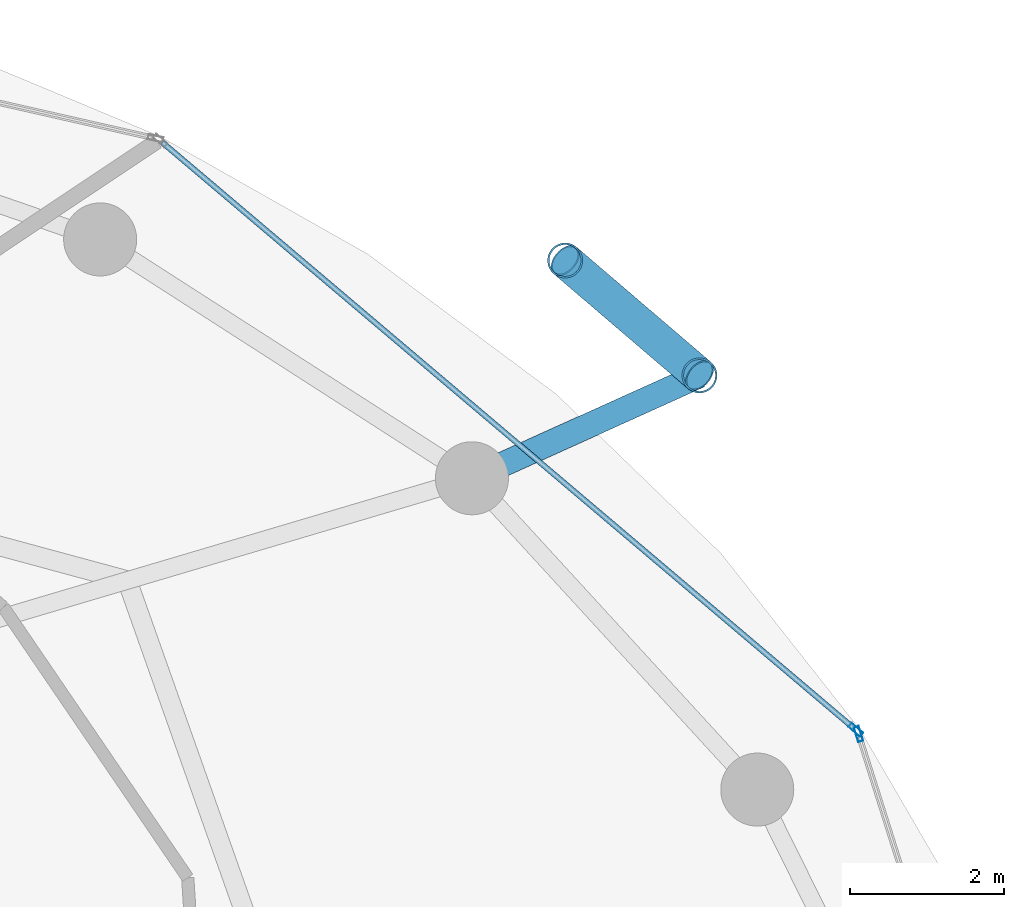
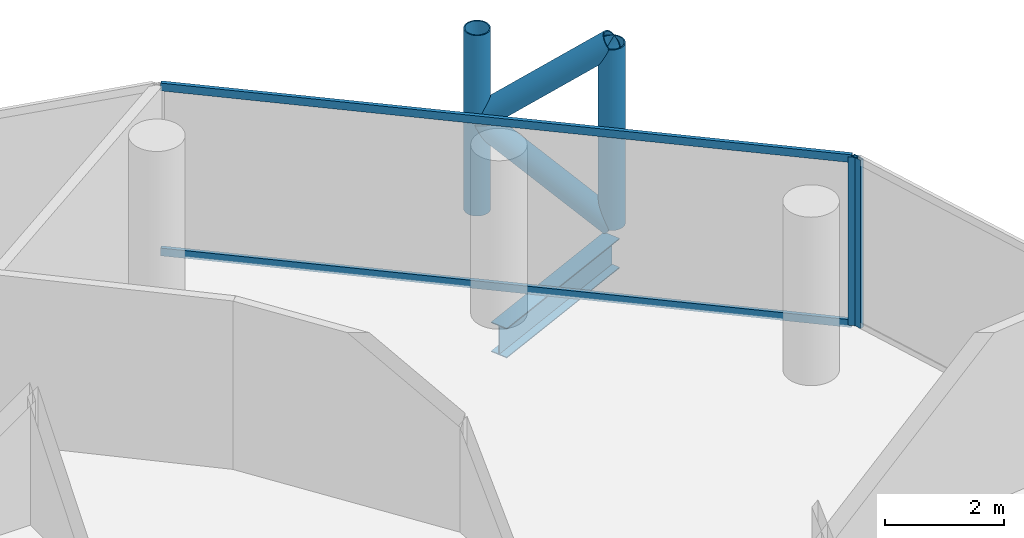
# One storey, part 19 of 26: 8 members, 1 beam, 2 elements without a shape of their own.
"""IFC4 building model written with IfcOpenShell, lengths in metres."""

from ifc_helpers import new_model, si_unit, direction, frame, origin, origin_2d, place, context, subcontext, project, spatial, hollow_rectangle, hollow_circle, i_section, extrude, material, layer, layer_set, material_profile, profile_set, type_object, element, aggregate, save


model = new_model("IFC4")

# Units and contexts
model_context = context("Model", 3, precision=1e-05, world=origin(), true_north=direction((0.0, 1.0)))
body_context = subcontext(model_context, "Body", "Model", "MODEL_VIEW")
ifc_project = project(units=[si_unit("LENGTHUNIT", "METRE"), si_unit("AREAUNIT", "SQUARE_METRE"), si_unit("VOLUMEUNIT", "CUBIC_METRE"), si_unit("PLANEANGLEUNIT", "RADIAN"), si_unit("MASSUNIT", "GRAM", prefix="KILO")], contexts=[model_context])

# Site, building, storey
site_placement = place(None, origin())
site = spatial("IfcSite", under=ifc_project, at=site_placement, CompositionType="ELEMENT")
building_placement = place(site_placement, origin())
building = spatial("IfcBuilding", under=site, at=building_placement, Name="Nuhasar Tower", CompositionType="ELEMENT")
storey_placement = place(building_placement, frame((0.0, 0.0, 129.35009765625)))
storey = spatial("IfcBuildingStorey", under=building, at=storey_placement, Name="L30", CompositionType="ELEMENT", Elevation=129.35009765625)

# Beam
ifc_material_1 = material(Name="Steel S355", Category="steel")
ifc_material_profile_1 = material_profile(ifc_material_1, i_section(OverallWidth=0.323974609375, OverallDepth=0.611083984375, WebThickness=0.0126953125, FlangeThickness=0.01904296875, at=origin_2d()), Name="W24X104")
ifc_profile_set_1 = profile_set([ifc_material_profile_1], Name="Steel S355")
beam_type = type_object("IfcBeamType", Name="BM-TIE-W24X104", PredefinedType="BEAM", material=ifc_profile_set_1)
beam_placement = place(storey_placement, frame((55.510986328125, 40.6240234375, -0.55615234375), z_axis=(0.911239591969, 0.411876687891, 0.0), x_axis=(-0.411876687891, 0.911239591969, 0.0)))
element("IfcBeam", 1, at=beam_placement, inside=storey, type_object=beam_type, Name="L30 Exoskeleton Node Tie Beam 02", PredefinedType="BEAM", context=body_context, shape_type="SweptSolid", body=[
    extrude(i_section(OverallWidth=0.323974609375, OverallDepth=0.611083984375, WebThickness=0.0126953125, FlangeThickness=0.01904296875, at=origin_2d()), origin(), (0.0, 0.0, 1.0), 3.248291015625),
])

# Curtain wall, member
ifc_material_2 = material(Name="Aluminium 6063-T6", Category="aluminium")
ifc_layer = layer(ifc_material_2, 0.199951171875)
ifc_layer_set = layer_set([ifc_layer], Name="Aluminium 6063-T6")
curtain_wall_type = type_object("IfcCurtainWallType", Name="CW-Z2-HTL", PredefinedType="NOTDEFINED", material=ifc_layer_set)
curtain_wall_1_placement = place(storey_placement, origin())
curtain_wall_1 = element("IfcCurtainWall", 2, at=curtain_wall_1_placement, inside=storey, type_object=curtain_wall_type, Name="L30 Unitised Curtain Wall 01", PredefinedType="NOTDEFINED")
ifc_material_profile_2 = material_profile(ifc_material_2, hollow_rectangle(XDim=0.070068359375, YDim=0.199951171875, WallThickness=0.0048828125, at=origin_2d()), Name="CWM-3")
ifc_profile_set_2 = profile_set([ifc_material_profile_2], Name="Aluminium 6063-T6")
member_type_1 = type_object("IfcMemberType", Name="CW-MUL-S3", PredefinedType="MULLION", material=ifc_profile_set_2)
member_1_placement = place(storey_placement, frame((60.53955078125, 37.296630859375, 0.0), z_axis=(0.0, 0.0, 1.0), x_axis=(-0.953433389233, -0.301603667577, 0.0)))
member_1 = element("IfcMember", 3, at=member_1_placement, type_object=member_type_1, Name="CW-Z2 mullion 2", PredefinedType="MULLION", context=body_context, shape_type="SweptSolid", body=[
    extrude(hollow_rectangle(XDim=0.070068359375, YDim=0.199951171875, WallThickness=0.0048828125, at=origin_2d()), origin(), (0.0, 0.0, 1.0), 3.449951171875),
])
aggregate(curtain_wall_1, [member_1])

# Curtain wall, members
curtain_wall_2_placement = place(storey_placement, origin())
curtain_wall_2 = element("IfcCurtainWall", 4, at=curtain_wall_2_placement, inside=storey, type_object=curtain_wall_type, Name="L30 Unitised Curtain Wall 02", PredefinedType="NOTDEFINED")
member_2_placement = place(storey_placement, frame((60.502197265625, 37.3525390625, 0.0), z_axis=(0.0, 0.0, 1.0), x_axis=(-0.646374438324, -0.763020370292, 0.0)))
member_2 = element("IfcMember", 5, at=member_2_placement, type_object=member_type_1, Name="CW-Z2 mullion 1", PredefinedType="MULLION", context=body_context, shape_type="SweptSolid", body=[
    extrude(hollow_rectangle(XDim=0.070068359375, YDim=0.199951171875, WallThickness=0.0048828125, at=origin_2d()), origin(), (0.0, 0.0, 1.0), 3.449951171875),
])
ifc_material_profile_3 = material_profile(ifc_material_2, hollow_rectangle(XDim=0.070068359375, YDim=0.159912109375, WallThickness=0.00439453125, at=origin_2d()), Name="CWT-3")
ifc_profile_set_3 = profile_set([ifc_material_profile_3], Name="Aluminium 6063-T6")
member_type_2 = type_object("IfcMemberType", Name="CW-TRN-S3", PredefinedType="USERDEFINED", material=ifc_profile_set_3)
member_3_placement = place(storey_placement, frame((60.4755859375, 37.375244140625, 0.034912109375), z_axis=(-0.763023915269, 0.646370253592, 0.0), x_axis=(-0.646370253592, -0.763023915269, 0.0)))
member_3 = element("IfcMember", 6, at=member_3_placement, type_object=member_type_2, Name="CW-Z2 transom 1.1", ObjectType="TRANSOM", PredefinedType="USERDEFINED", context=body_context, shape_type="SweptSolid", body=[
    extrude(hollow_rectangle(XDim=0.070068359375, YDim=0.159912109375, WallThickness=0.00439453125, at=origin_2d()), origin(), (0.0, 0.0, 1.0), 11.784912109375),
])
member_4_placement = place(storey_placement, frame((60.4755859375, 37.375244140625, 3.414794921875), z_axis=(-0.763023915269, 0.646370253592, 0.0), x_axis=(-0.646370253592, -0.763023915269, 0.0)))
member_4 = element("IfcMember", 7, at=member_4_placement, type_object=member_type_2, Name="CW-Z2 transom 1.2", ObjectType="TRANSOM", PredefinedType="USERDEFINED", context=body_context, shape_type="SweptSolid", body=[
    extrude(hollow_rectangle(XDim=0.070068359375, YDim=0.159912109375, WallThickness=0.00439453125, at=origin_2d()), origin(), (0.0, 0.0, 1.0), 11.784912109375),
])
aggregate(curtain_wall_2, [member_2, member_3, member_4])

# Members
ifc_material_3 = material(Name="Steel S460", Category="steel")
ifc_material_profile_4 = material_profile(ifc_material_3, hollow_circle(Radius=0.228515625, WallThickness=0.022216796875, at=origin_2d()), Name="HSS457X22.2")
ifc_profile_set_4 = profile_set([ifc_material_profile_4], Name="Steel S460")
member_type_3 = type_object("IfcMemberType", Name="EXO-BRONZE-457", PredefinedType="BRACE", material=ifc_profile_set_4)
for number, where, z_axis, x_axis, name in (
    (8, (58.470947265625, 41.9619140625, 0.0), (0.0, 0.0, 1.0), (1.0, 0.0, 0.0), "L30 Exoskeleton Chord Column EC-02A"),
    (9, (56.722900390625, 43.45703125, 0.0), (0.0, 0.0, 1.0), (1.0, 0.0, 0.0), "L30 Exoskeleton Chord Column EC-02B"),
):
    element("IfcMember", number, at=place(storey_placement, frame(where, z_axis=z_axis, x_axis=x_axis)), inside=storey, type_object=member_type_3, Name=name, PredefinedType="BRACE", context=body_context, shape_type="SweptSolid", body=[
        extrude(hollow_circle(Radius=0.228515625, WallThickness=0.022216796875, at=origin_2d()), origin(), (0.0, 0.0, 1.0), 3.699951171875),
    ])
member_5_placement = place(storey_placement, frame((58.470947265625, 41.9619140625, 0.0), z_axis=(-0.592201065785, 0.506513872468, 0.626690988192), x_axis=(-0.649986859795, -0.759945446788, 0.0)))
element("IfcMember", 10, at=member_5_placement, inside=storey, type_object=member_type_3, Name="L30 Bronze Diagrid Brace W1-02", PredefinedType="BRACE", context=body_context, shape_type="SweptSolid", body=[
    extrude(hollow_circle(Radius=0.228515625, WallThickness=0.022216796875, at=origin_2d()), origin(), (0.0, 0.0, 1.0), 2.95166015625),
])
member_6_placement = place(storey_placement, frame((56.722900390625, 43.45703125, 1.849853515625), z_axis=(0.592170370358, -0.506487618445, 0.626741210415), x_axis=(0.649986859795, 0.759945446788, 0.0)))
element("IfcMember", 11, at=member_6_placement, inside=storey, type_object=member_type_3, Name="L30 Bronze Diagrid Brace W2-02", PredefinedType="BRACE", context=body_context, shape_type="SweptSolid", body=[
    extrude(hollow_circle(Radius=0.228515625, WallThickness=0.022216796875, at=origin_2d()), origin(), (0.0, 0.0, 1.0), 2.951904296875),
])

save(model, "model.ifc")
